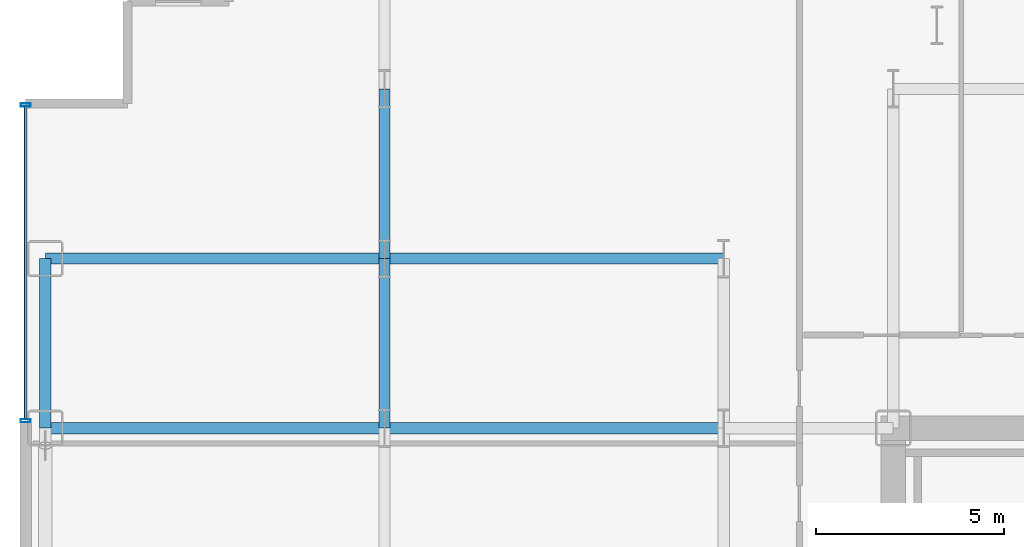
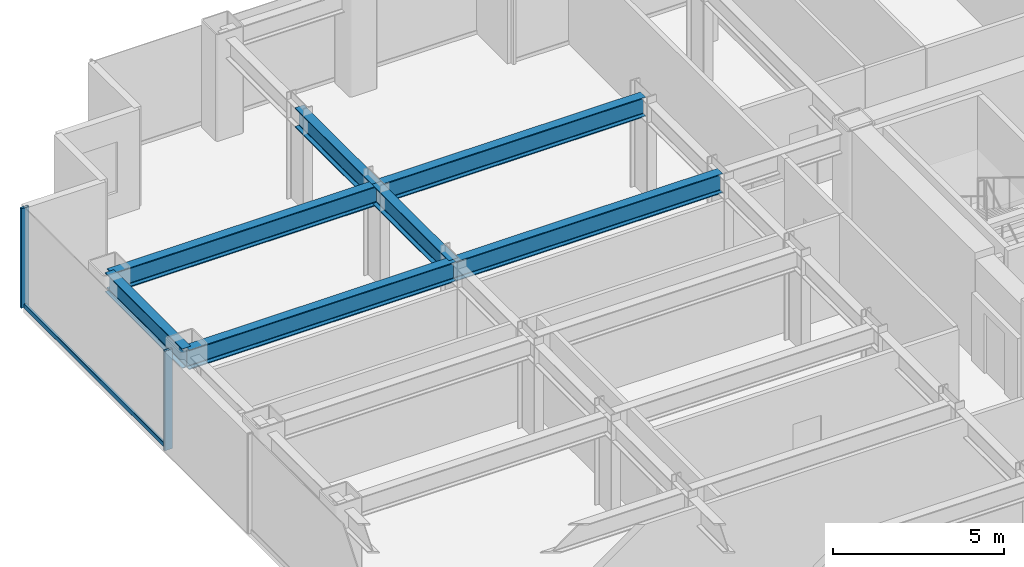
# One storey, part 11 of 29: 7 beams, 3 members, 1 element without a shape of its own.
"""IFC4 building model written with IfcOpenShell, lengths in metres."""

from ifc_helpers import new_model, si_unit, direction, frame, origin, origin_2d, place, context, subcontext, project, spatial, hollow_rectangle, i_section, extrude, source, transform, mapped, material, layer, layer_set, material_profile, profile_set, type_object, element, aggregate, save


model = new_model("IFC4")

# Units and contexts
model_context = context("Model", 3, precision=1e-05, world=origin(), true_north=direction((0.0, 1.0)))
body_context = subcontext(model_context, "Body", "Model", "MODEL_VIEW")
ifc_project = project(units=[si_unit("LENGTHUNIT", "METRE"), si_unit("AREAUNIT", "SQUARE_METRE"), si_unit("VOLUMEUNIT", "CUBIC_METRE"), si_unit("PLANEANGLEUNIT", "RADIAN"), si_unit("MASSUNIT", "GRAM", prefix="KILO")], contexts=[model_context])

# Site, building, storey
site_placement = place(None, origin())
site = spatial("IfcSite", under=ifc_project, at=site_placement, CompositionType="ELEMENT")
building_placement = place(site_placement, origin())
building = spatial("IfcBuilding", under=site, at=building_placement, Name="Nefas-Gora Pilgrimage Tower", CompositionType="ELEMENT")
storey_placement = place(building_placement, frame((0.0, 0.0, 67.199951171875)))
storey = spatial("IfcBuildingStorey", under=building, at=storey_placement, Name="L15", CompositionType="ELEMENT", Elevation=67.199951171875)

# Beams
ifc_material_1 = material(Name="Steel S355", Category="steel")
ifc_material_profile_1 = material_profile(ifc_material_1, i_section(OverallWidth=0.300048828125, OverallDepth=0.699951171875, WebThickness=0.01708984375, FlangeThickness=0.031982421875, FilletRadius=0.027099609375, at=origin_2d()), Name="HEB 700")
ifc_profile_set_1 = profile_set([ifc_material_profile_1], Name="Steel S355")
beam_type_1 = type_object("IfcBeamType", Name="BM-SPN-HEB600", PredefinedType="SPANDREL", material=ifc_profile_set_1)
shared_shape_1 = source(origin(), body_context, "Body", "SweptSolid", [
    extrude(i_section(OverallWidth=0.300048828125, OverallDepth=0.699951171875, WebThickness=0.01708984375, FlangeThickness=0.031982421875, FilletRadius=0.027099609375, at=origin_2d()), origin(), (0.0, 0.0, 1.0), 4.5),
])
beam_placement = place(storey_placement, frame((-33.75, 9.0, 3.199951171875), z_axis=(0.0, 1.0, 0.0), x_axis=(-1.0, 0.0, 0.0)))
element("IfcBeam", 1, at=beam_placement, inside=storey, type_object=beam_type_1, Name="L15 SP-01 beam", PredefinedType="SPANDREL", context=body_context, shape_type="MappedRepresentation", body=[
    mapped(shared_shape_1, transform((0.0, 0.0, 0.0), x_axis=(1.0, 0.0, 0.0), y_axis=(0.0, 1.0, 0.0), z_axis=(0.0, 0.0, 1.0), scale=1.0)),
])
ifc_material_profile_2 = material_profile(ifc_material_1, i_section(OverallWidth=0.300048828125, OverallDepth=0.699951171875, WebThickness=0.01708984375, FlangeThickness=0.031982421875, FilletRadius=0.027099609375, at=origin_2d()), Name="HEB 700")
ifc_profile_set_2 = profile_set([ifc_material_profile_2], Name="Steel S355")
beam_type_2 = type_object("IfcBeamType", Name="BM-GIR-HEB700", PredefinedType="BEAM", material=ifc_profile_set_2)
shared_shape_2 = source(origin(), body_context, "Body", "SweptSolid", [
    extrude(i_section(OverallWidth=0.300048828125, OverallDepth=0.699951171875, WebThickness=0.01708984375, FlangeThickness=0.031982421875, FilletRadius=0.027099609375, at=origin_2d()), origin(), (0.0, 0.0, 1.0), 9.0),
])
for number, where, z_axis, x_axis, name in (
    (2, (-33.75, 9.0, 3.199951171875), (1.0, 0.0, 0.0), (0.0, 1.0, 0.0), "L15 G-02 beam"),
    (3, (-33.75, 13.5, 3.199951171875), (1.0, 0.0, 0.0), (0.0, 1.0, 0.0), "L15 G-02 beam"),
    (4, (-24.75, 9.0, 3.199951171875), (1.0, 0.0, 0.0), (0.0, 1.0, 0.0), "L15 G-02 beam"),
    (5, (-24.75, 13.5, 3.199951171875), (1.0, 0.0, 0.0), (0.0, 1.0, 0.0), "L15 G-02 beam"),
):
    element("IfcBeam", number, at=place(storey_placement, frame(where, z_axis=z_axis, x_axis=x_axis)), inside=storey, type_object=beam_type_2, Name=name, PredefinedType="BEAM", context=body_context, shape_type="MappedRepresentation", body=[
        mapped(shared_shape_2, transform((0.0, 0.0, 0.0), x_axis=(1.0, 0.0, 0.0), y_axis=(0.0, 1.0, 0.0), z_axis=(0.0, 0.0, 1.0), scale=1.0)),
    ])
shared_shape_3 = source(origin(), body_context, "Body", "SweptSolid", [
    extrude(i_section(OverallWidth=0.300048828125, OverallDepth=0.699951171875, WebThickness=0.01708984375, FlangeThickness=0.031982421875, FilletRadius=0.027099609375, at=origin_2d()), origin(), (0.0, 0.0, 1.0), 4.5),
])
for number, where, z_axis, x_axis, name in (
    (6, (-24.75, 9.0, 3.199951171875), (0.0, 1.0, 0.0), (-1.0, 0.0, 0.0), "L15 G-02 beam"),
    (7, (-24.75, 13.5, 3.199951171875), (0.0, 1.0, 0.0), (-1.0, 0.0, 0.0), "L15 G-02 beam"),
):
    element("IfcBeam", number, at=place(storey_placement, frame(where, z_axis=z_axis, x_axis=x_axis)), inside=storey, type_object=beam_type_2, Name=name, PredefinedType="BEAM", context=body_context, shape_type="MappedRepresentation", body=[
        mapped(shared_shape_3, transform((0.0, 0.0, 0.0), x_axis=(1.0, 0.0, 0.0), y_axis=(0.0, 1.0, 0.0), z_axis=(0.0, 0.0, 1.0), scale=1.0)),
    ])

# Curtain wall, members
ifc_material_2 = material(Name="Dark ceramic-fritted solar-control aluminium-glass curtain wall", Category="aluminium")
ifc_layer = layer(ifc_material_2, 0.219970703125)
ifc_layer_set = layer_set([ifc_layer], Name="Dark ceramic-fritted solar-control aluminium-glass curtain wall")
curtain_wall_type = type_object("IfcCurtainWallType", Name="CW-SYS-2", PredefinedType="NOTDEFINED", material=ifc_layer_set)
curtain_wall_placement = place(storey_placement, origin())
curtain_wall = element("IfcCurtainWall", 8, at=curtain_wall_placement, inside=storey, type_object=curtain_wall_type, Name="L15 Unitised Curtain Wall CW2", PredefinedType="NOTDEFINED")
ifc_material_3 = material(Name="Anodised architectural aluminium", Category="aluminium")
ifc_material_profile_3 = material_profile(ifc_material_3, hollow_rectangle(XDim=0.090087890625, YDim=0.260009765625, WallThickness=0.006103515625, InnerFilletRadius=0.006103515625, OuterFilletRadius=0.011962890625, at=origin_2d()), Name="ALU MULLION 90x260")
ifc_profile_set_3 = profile_set([ifc_material_profile_3], Name="Anodised architectural aluminium")
member_type_1 = type_object("IfcMemberType", Name="CWM-MUL-2", PredefinedType="MULLION", material=ifc_profile_set_3)
shared_shape_4 = source(origin(), body_context, "Body", "SweptSolid", [
    extrude(hollow_rectangle(XDim=0.090087890625, YDim=0.260009765625, WallThickness=0.006103515625, InnerFilletRadius=0.006103515625, OuterFilletRadius=0.011962890625, at=origin_2d()), origin(), (0.0, 0.0, 1.0), 3.550048828125),
])
member_1_placement = place(storey_placement, frame((-34.27001953125, 17.574951171875, 0.0), z_axis=(0.0, 0.0, 1.0), x_axis=(0.0, -1.0, 0.0)))
member_1 = element("IfcMember", 9, at=member_1_placement, type_object=member_type_1, Name="CW2 Mullion 1", PredefinedType="MULLION", context=body_context, shape_type="MappedRepresentation", body=[
    mapped(shared_shape_4, transform((0.0, 0.0, 0.0), x_axis=(1.0, 0.0, 0.0), y_axis=(0.0, 1.0, 0.0), z_axis=(0.0, 0.0, 1.0), scale=1.0)),
])
member_2_placement = place(storey_placement, frame((-34.27001953125, 9.195068359375, 0.0), z_axis=(0.0, 0.0, 1.0), x_axis=(0.0, -1.0, 0.0)))
member_2 = element("IfcMember", 10, at=member_2_placement, type_object=member_type_1, Name="CW2 Mullion 2", PredefinedType="MULLION", context=body_context, shape_type="MappedRepresentation", body=[
    mapped(shared_shape_4, transform((0.0, 0.0, 0.0), x_axis=(1.0, 0.0, 0.0), y_axis=(0.0, 1.0, 0.0), z_axis=(0.0, 0.0, 1.0), scale=1.0)),
])
ifc_material_profile_4 = material_profile(ifc_material_3, hollow_rectangle(XDim=0.080078125, YDim=0.159912109375, WallThickness=0.00439453125, InnerFilletRadius=0.00439453125, OuterFilletRadius=0.009033203125, at=origin_2d()), Name="ALU TRANSOM 80x160")
ifc_profile_set_4 = profile_set([ifc_material_profile_4], Name="Anodised architectural aluminium")
member_type_2 = type_object("IfcMemberType", Name="CWM-TRN-2", PredefinedType="USERDEFINED", material=ifc_profile_set_4)
shared_shape_5 = source(origin(), body_context, "Body", "SweptSolid", [
    extrude(hollow_rectangle(XDim=0.080078125, YDim=0.159912109375, WallThickness=0.00439453125, InnerFilletRadius=0.00439453125, OuterFilletRadius=0.009033203125, at=origin_2d()), origin(), (0.0, 0.0, 1.0), 8.2900390625),
])
member_3_placement = place(storey_placement, frame((-34.27001953125, 17.530029296875, 0.050048828125), z_axis=(0.0, -1.0, 0.0), x_axis=(1.0, 0.0, 0.0)))
member_3 = element("IfcMember", 11, at=member_3_placement, type_object=member_type_2, Name="CW2 Spandrel Transom", ObjectType="TRANSOM", PredefinedType="USERDEFINED", context=body_context, shape_type="MappedRepresentation", body=[
    mapped(shared_shape_5, transform((0.0, 0.0, 0.0), x_axis=(1.0, 0.0, 0.0), y_axis=(0.0, 1.0, 0.0), z_axis=(0.0, 0.0, 1.0), scale=1.0)),
])
aggregate(curtain_wall, [member_1, member_2, member_3])

save(model, "model.ifc")
